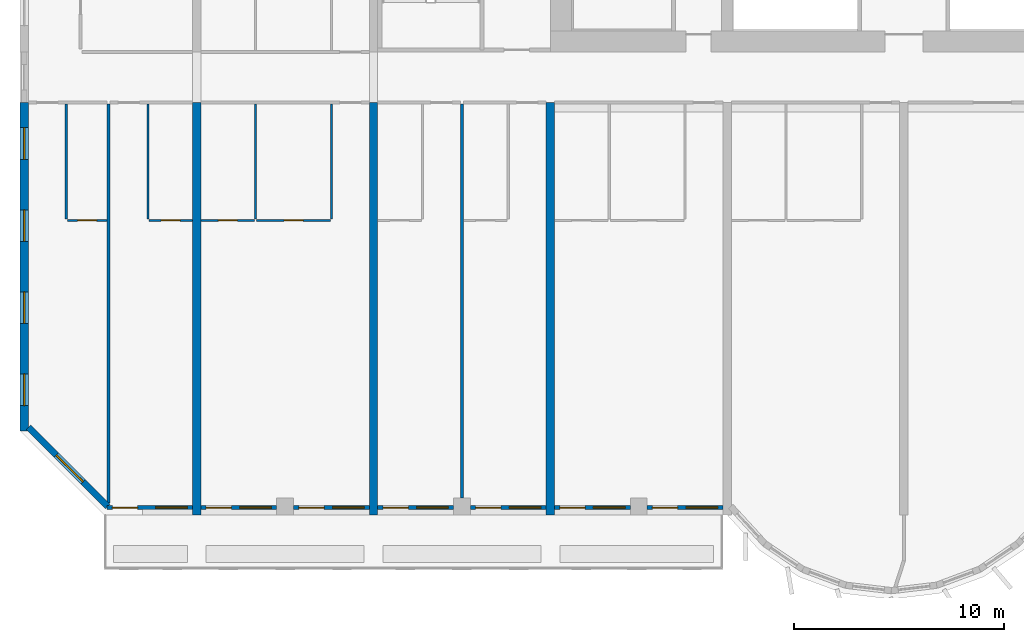
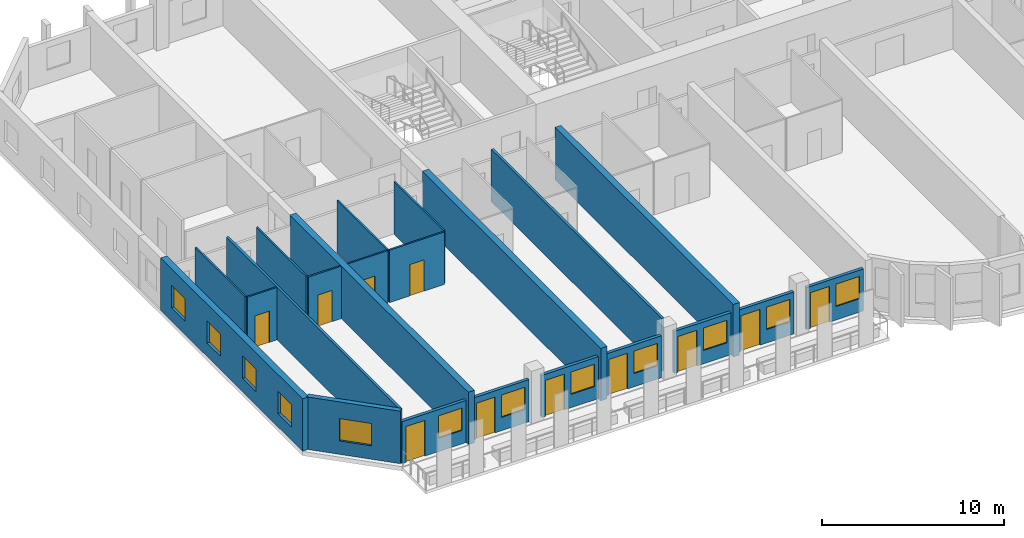
# One storey, part 2 of 14: 22 walls, 12 windows, 11 doors, 23 openings.
"""IFC4 building model written with IfcOpenShell, lengths in metres."""

import ifcopenshell
import ifcopenshell.guid

model = None  # the IFC model being written
_history = None  # IfcOwnerHistory: only IFC2X3 demands one
_inside = {}  # id of a spatial element -> (the spatial element, [elements in it])
_under = {}  # id of a project, library or spatial element -> (it, [spatial elements below it])
_declared = {}  # id of a project -> (the project, [libraries it declares])
_typed = {}  # id of a type object -> (the type object, [elements of that type])
_made_of = {}  # id of a material, layer set ... -> (it, [elements and type objects made of it])


def new_model(schema):
    """Start an empty IFC model of exactly this schema.

    Asked for "IFC4X3", IfcOpenShell would pick the latest addendum, in which some entities
    have other attributes; the version numbers below select the first issue.
    IFC2X3 requires an IfcOwnerHistory on every rooted entity: one is made here for all.
    """
    global model, _history
    if schema == "IFC4X3":
        model = ifcopenshell.file(schema_version=(4, 3, 0, 0))
    else:
        model = ifcopenshell.file(schema=schema)
    _inside.clear()
    _under.clear()
    _declared.clear()
    _typed.clear()
    _made_of.clear()
    _history = None
    if model.schema == "IFC2X3":
        org = make("IfcOrganization", Name="unknown")
        user = make(
            "IfcPersonAndOrganization",
            ThePerson=make("IfcPerson", FamilyName="unknown"),
            TheOrganization=org,
        )
        app = make(
            "IfcApplication",
            ApplicationDeveloper=org,
            Version="unknown",
            ApplicationFullName="unknown",
            ApplicationIdentifier="unknown",
        )
        _history = make(
            "IfcOwnerHistory",
            OwningUser=user,
            OwningApplication=app,
            ChangeAction="ADDED",
            CreationDate=0,
        )
    return model


def make(cls, **values):
    """One entity of the class cls with the attributes given. An attribute that is None is left unset."""
    return model.create_entity(
        cls, **{name: value for name, value in values.items() if value is not None}
    )


def rooted(cls, **values):
    """An entity with a GlobalId (a new one), such as an element, a storey or a relation."""
    return make(cls, GlobalId=ifcopenshell.guid.new(), OwnerHistory=_history, **values)


def si_unit(unit_type, name, prefix=None):
    """IfcSIUnit, for example si_unit("LENGTHUNIT", "METRE", prefix="MILLI")."""
    return make("IfcSIUnit", UnitType=unit_type, Prefix=prefix, Name=name)


def assignment(units):
    """IfcUnitAssignment: the units of a project."""
    return None if units is None else make("IfcUnitAssignment", Units=units)


def point(xyz):
    """IfcCartesianPoint."""
    return None if xyz is None else make("IfcCartesianPoint", Coordinates=xyz)


def direction(xyz):
    """IfcDirection."""
    return None if xyz is None else make("IfcDirection", DirectionRatios=xyz)


def frame(location, z_axis=None, x_axis=None):
    """IfcAxis2Placement3D, a coordinate frame: its origin and axes. An axis left out is left unset."""
    return make(
        "IfcAxis2Placement3D",
        Location=point(location),
        Axis=direction(z_axis),
        RefDirection=direction(x_axis),
    )


def frame_2d(location, x_axis=None):
    """IfcAxis2Placement2D, a coordinate frame in the plane: its origin and x axis."""
    return make(
        "IfcAxis2Placement2D", Location=point(location), RefDirection=direction(x_axis)
    )


def origin():
    """The frame at (0, 0, 0) with its axes left unset."""
    return frame((0.0, 0.0, 0.0))


def place(relative_to, where):
    """IfcLocalPlacement: puts the frame where relative to a parent placement (None: the world)."""
    return make(
        "IfcLocalPlacement", PlacementRelTo=relative_to, RelativePlacement=where
    )


def context(
    kind, dimensions, precision=None, world=None, true_north=None, identifier=None
):
    """IfcGeometricRepresentationContext, for example the 3D "Model" context."""
    return make(
        "IfcGeometricRepresentationContext",
        ContextIdentifier=identifier,
        ContextType=kind,
        CoordinateSpaceDimension=dimensions,
        Precision=precision,
        WorldCoordinateSystem=world,
        TrueNorth=true_north,
    )


def subcontext(parent, identifier, kind, view, scale=None):
    """IfcGeometricRepresentationSubContext, for example "Body" below "Model"."""
    return make(
        "IfcGeometricRepresentationSubContext",
        ContextIdentifier=identifier,
        ContextType=kind,
        ParentContext=parent,
        TargetScale=scale,
        TargetView=view,
    )


def project(units=None, contexts=None):
    """IfcProject with its units and contexts."""
    return rooted(
        "IfcProject",
        Name="project",
        RepresentationContexts=contexts,
        UnitsInContext=assignment(units),
    )


def spatial(cls, under=None, at=None, **own):
    """A site, building, storey or space (cls), placed at a placement, below another one or the project."""
    s = rooted(cls, ObjectPlacement=at, **own)
    if under is not None:
        _under.setdefault(under.id(), (under, []))[1].append(s)
    return s


def profile(cls, at=None, kind="AREA", **sizes):
    """A parametric profile (cls). Its sizes go by their IFC names, for example OverallWidth=200.0."""
    return make(cls, ProfileType=kind, Position=at, **sizes)


def rectangle(**sizes):
    """IfcRectangleProfileDef."""
    return profile("IfcRectangleProfileDef", **sizes)


def extrude(swept, where, along, depth):
    """IfcExtrudedAreaSolid: the profile swept, set in the frame where, extruded along a direction by depth."""
    return make(
        "IfcExtrudedAreaSolid",
        SweptArea=swept,
        Position=where,
        ExtrudedDirection=direction(along),
        Depth=depth,
    )


def shape(context_of_items, identifier, shape_type, items):
    """IfcShapeRepresentation: the items that make up one representation, for example the "Body"."""
    return make(
        "IfcShapeRepresentation",
        ContextOfItems=context_of_items,
        RepresentationIdentifier=identifier,
        RepresentationType=shape_type,
        Items=items,
    )


def source(mapping_origin, context_of_items, identifier, shape_type, items):
    """IfcRepresentationMap: a shape defined once, which mapped items show again and again."""
    return make(
        "IfcRepresentationMap",
        MappingOrigin=mapping_origin,
        MappedRepresentation=shape(context_of_items, identifier, shape_type, items),
    )


def transform(
    local_origin,
    x_axis=None,
    y_axis=None,
    z_axis=None,
    scale=None,
    scale2=None,
    scale3=None,
    uniform=True,
):
    """IfcCartesianTransformationOperator3D, or its non-uniform kind. x_axis, y_axis, z_axis: its Axis1, 2, 3."""
    if uniform:
        return make(
            "IfcCartesianTransformationOperator3D",
            Axis1=direction(x_axis),
            Axis2=direction(y_axis),
            LocalOrigin=point(local_origin),
            Scale=scale,
            Axis3=direction(z_axis),
        )
    return make(
        "IfcCartesianTransformationOperator3DnonUniform",
        Axis1=direction(x_axis),
        Axis2=direction(y_axis),
        LocalOrigin=point(local_origin),
        Scale=scale,
        Axis3=direction(z_axis),
        Scale2=scale2,
        Scale3=scale3,
    )


def mapped(mapping_source, mapping_target):
    """IfcMappedItem: shows the shape of a source again, moved by a transform."""
    return make(
        "IfcMappedItem", MappingSource=mapping_source, MappingTarget=mapping_target
    )


def material(Name=None, Category=None):
    """IfcMaterial."""
    return make("IfcMaterial", Name=Name, Category=Category)


def layer(
    of_material, thickness, ventilated=None, Name=None, Category=None, Priority=None
):
    """IfcMaterialLayer: one layer of a wall or slab, of a material (None: an air gap)."""
    return make(
        "IfcMaterialLayer",
        Material=of_material,
        LayerThickness=thickness,
        IsVentilated=ventilated,
        Name=Name,
        Category=Category,
        Priority=Priority,
    )


def layer_set(layers, Name=None):
    """IfcMaterialLayerSet."""
    return make("IfcMaterialLayerSet", MaterialLayers=layers, LayerSetName=Name)


def made_of(thing, what):
    """Note that an element or type object is made of a material, layer set ...; save() writes the relation."""
    if what is not None:
        _made_of.setdefault(what.id(), (what, []))[1].append(thing)
    return thing


def type_object(cls, material=None, **own):
    """A type object (cls), such as IfcWallType, which elements share."""
    return made_of(rooted(cls, **own), material)


def element(
    cls,
    number,
    at=None,
    inside=None,
    cuts=None,
    type_object=None,
    material=None,
    context=None,
    identifier="Body",
    shape_type=None,
    held_by="IfcProductDefinitionShape",
    body=None,
    shapes=None,
    **own,
):
    """One element of the class cls, such as IfcWall. Its Tag is "e" and its number.

    at: its placement. inside: the storey or other place that contains it. cuts: it is an
    opening in that element (IfcRelVoidsElement). A single representation is given by context,
    identifier, shape_type and body (its items); several are given by shapes. held_by: the class
    of the entity that holds the representations. save() writes the other relations.
    """
    e = rooted(cls, Tag="e%d" % number, ObjectPlacement=at, **own)
    if body is not None:
        shapes = [shape(context, identifier, shape_type, body)]
    if shapes is not None:
        e.Representation = make(held_by, Representations=shapes)
    if inside is not None:
        _inside.setdefault(inside.id(), (inside, []))[1].append(e)
    if cuts is not None:
        rooted(
            "IfcRelVoidsElement", RelatingBuildingElement=cuts, RelatedOpeningElement=e
        )
    if type_object is not None:
        _typed.setdefault(type_object.id(), (type_object, []))[1].append(e)
    return made_of(e, material)


def fill(opening, filler):
    """IfcRelFillsElement: the door or window that sits in an opening."""
    return rooted(
        "IfcRelFillsElement",
        RelatingOpeningElement=opening,
        RelatedBuildingElement=filler,
    )


def aggregate(whole, parts):
    """IfcRelAggregates: a whole, such as a stair, and the parts it consists of."""
    return rooted("IfcRelAggregates", RelatingObject=whole, RelatedObjects=parts)


def save(model, path):
    """Write the relations noted so far, then the file.

    IfcRelAggregates (storeys below a building ...), IfcRelContainedInSpatialStructure (elements
    in a storey), IfcRelDefinesByType, IfcRelAssociatesMaterial and IfcRelDeclares: one each for
    every whole, place, type object, material and project.
    """
    for whole, parts in _under.values():
        aggregate(whole, parts)
    for where, things in _inside.values():
        rooted(
            "IfcRelContainedInSpatialStructure",
            RelatedElements=things,
            RelatingStructure=where,
        )
    for kind, things in _typed.values():
        rooted("IfcRelDefinesByType", RelatedObjects=things, RelatingType=kind)
    for what, things in _made_of.values():
        rooted("IfcRelAssociatesMaterial", RelatedObjects=things, RelatingMaterial=what)
    for by, libraries in _declared.values():
        rooted("IfcRelDeclares", RelatingContext=by, RelatedDefinitions=libraries)
    model.write(path)


model = new_model("IFC4")

# Units and contexts
model_context = context("Model", 3, precision=1e-05, world=origin(), true_north=direction((0.0, 1.0)))
body_context = subcontext(model_context, "Body", "Model", "MODEL_VIEW")
ifc_project = project(units=[si_unit("LENGTHUNIT", "METRE"), si_unit("AREAUNIT", "SQUARE_METRE"), si_unit("VOLUMEUNIT", "CUBIC_METRE"), si_unit("PLANEANGLEUNIT", "RADIAN"), si_unit("MASSUNIT", "GRAM", prefix="KILO")], contexts=[model_context])

# Site, building, storey
site_placement = place(None, origin())
site = spatial("IfcSite", under=ifc_project, at=site_placement, CompositionType="ELEMENT")
building_placement = place(site_placement, origin())
building = spatial("IfcBuilding", under=site, at=building_placement, Name="Vanashikhar Sky Hotel", CompositionType="ELEMENT")
storey_placement = place(building_placement, frame((0.0, 0.0, 54.39990234375)))
storey = spatial("IfcBuildingStorey", under=building, at=storey_placement, Name="L12", CompositionType="ELEMENT", Elevation=54.39990234375)

# Wall, openings, windows
ifc_material_1 = material(Name="Concrete M80", Category="concrete")
ifc_layer_1 = layer(ifc_material_1, 0.39990234375)
ifc_layer_set_1 = layer_set([ifc_layer_1], Name="RC shear wall 400 Concrete M80")
wall_type_1 = type_object("IfcWallType", Name="RC shear wall 400 Concrete M80", PredefinedType="SHEAR", material=ifc_layer_set_1)
shared_shape_1 = source(origin(), body_context, "Body", "SweptSolid", [
    extrude(rectangle(XDim=15.60009765625, YDim=0.39990234375, at=frame_2d((7.800048828125, 0.0))), origin(), (0.0, 0.0, 1.0), 3.52001953125),
])
wall_1_placement = place(storey_placement, frame((0.199951171875, 4.0, 0.0), z_axis=(0.0, 0.0, 1.0), x_axis=(0.0, 1.0, 0.0)))
wall_1 = element("IfcWall", 1, at=wall_1_placement, inside=storey, type_object=wall_type_1, Name="CW-L12-XW01-1", PredefinedType="SHEAR", context=body_context, shape_type="MappedRepresentation", body=[
    mapped(shared_shape_1, transform((0.0, 0.0, 0.0), scale=1.0)),
])
shared_shape_2 = source(origin(), body_context, "Body", "SweptSolid", [
    extrude(rectangle(XDim=1.5, YDim=1.5, at=frame_2d((0.75, 0.75))), frame((0.0, 0.2099609375, 0.0), z_axis=(0.0, -1.0, 0.0), x_axis=(1.0, 0.0, 0.0)), (0.0, 0.0, 1.0), 0.419921875),
])
opening_1_placement = place(wall_1_placement, frame((1.199951171875, 0.0, 0.89990234375)))
opening_1 = element("IfcOpeningElement", 2, at=opening_1_placement, cuts=wall_1, Name="Opening WN-1", PredefinedType="OPENING", context=body_context, shape_type="MappedRepresentation", body=[
    mapped(shared_shape_2, transform((0.0, 0.0, 0.0), scale=1.0)),
])
opening_2_placement = place(wall_1_placement, frame((5.10009765625, 0.0, 0.89990234375)))
opening_2 = element("IfcOpeningElement", 3, at=opening_2_placement, cuts=wall_1, Name="Opening WN-1", PredefinedType="OPENING", context=body_context, shape_type="MappedRepresentation", body=[
    mapped(shared_shape_2, transform((0.0, 0.0, 0.0), scale=1.0)),
])
opening_3_placement = place(wall_1_placement, frame((9.0, 0.0, 0.89990234375)))
opening_3 = element("IfcOpeningElement", 4, at=opening_3_placement, cuts=wall_1, Name="Opening WN-1", PredefinedType="OPENING", context=body_context, shape_type="MappedRepresentation", body=[
    mapped(shared_shape_2, transform((0.0, 0.0, 0.0), scale=1.0)),
])
opening_4_placement = place(wall_1_placement, frame((12.89990234375, 0.0, 0.89990234375)))
opening_4 = element("IfcOpeningElement", 5, at=opening_4_placement, cuts=wall_1, Name="Opening WN-1", PredefinedType="OPENING", context=body_context, shape_type="MappedRepresentation", body=[
    mapped(shared_shape_2, transform((0.0, 0.0, 0.0), scale=1.0)),
])
ifc_material_2 = material(Name="Glass", Category="glass")
window_type_1 = type_object("IfcWindowType", Name="Window 1500 x 1500", PartitioningType="SINGLE_PANEL", PredefinedType="WINDOW", material=ifc_material_2)
shared_shape_3 = source(origin(), body_context, "Body", "SweptSolid", [
    extrude(rectangle(XDim=1.5, YDim=1.5, at=frame_2d((0.75, 0.75))), frame((0.0, 0.030029296875, 0.0), z_axis=(0.0, -1.0, 0.0), x_axis=(1.0, 0.0, 0.0)), (0.0, 0.0, 1.0), 0.06005859375),
])
window_1_placement = place(opening_1_placement, origin())
window_1 = element("IfcWindow", 6, at=window_1_placement, inside=storey, type_object=window_type_1, Name="Window WN-1", OverallHeight=1.5, OverallWidth=1.5, PartitioningType="SINGLE_PANEL", PredefinedType="WINDOW", context=body_context, shape_type="MappedRepresentation", body=[
    mapped(shared_shape_3, transform((0.0, 0.0, 0.0), scale=1.0)),
])
fill(opening_1, window_1)
window_2_placement = place(opening_2_placement, origin())
window_2 = element("IfcWindow", 7, at=window_2_placement, inside=storey, type_object=window_type_1, Name="Window WN-1", OverallHeight=1.5, OverallWidth=1.5, PartitioningType="SINGLE_PANEL", PredefinedType="WINDOW", context=body_context, shape_type="MappedRepresentation", body=[
    mapped(shared_shape_3, transform((0.0, 0.0, 0.0), scale=1.0)),
])
fill(opening_2, window_2)
window_3_placement = place(opening_3_placement, origin())
window_3 = element("IfcWindow", 8, at=window_3_placement, inside=storey, type_object=window_type_1, Name="Window WN-1", OverallHeight=1.5, OverallWidth=1.5, PartitioningType="SINGLE_PANEL", PredefinedType="WINDOW", context=body_context, shape_type="MappedRepresentation", body=[
    mapped(shared_shape_3, transform((0.0, 0.0, 0.0), scale=1.0)),
])
fill(opening_3, window_3)
window_4_placement = place(opening_4_placement, origin())
window_4 = element("IfcWindow", 9, at=window_4_placement, inside=storey, type_object=window_type_1, Name="Window WN-1", OverallHeight=1.5, OverallWidth=1.5, PartitioningType="SINGLE_PANEL", PredefinedType="WINDOW", context=body_context, shape_type="MappedRepresentation", body=[
    mapped(shared_shape_3, transform((0.0, 0.0, 0.0), scale=1.0)),
])
fill(opening_4, window_4)

# Walls
shared_shape_4 = source(origin(), body_context, "Body", "SweptSolid", [
    extrude(rectangle(XDim=19.60009765625, YDim=0.39990234375, at=frame_2d((9.800048828125, 0.0))), origin(), (0.0, 0.0, 1.0), 3.52001953125),
])
for number, where, z_axis, x_axis, name in (
    (10, (8.39990234375, 0.0, 0.0), (0.0, 0.0, 1.0), (0.0, 1.0, 0.0), "CW-L12-XW02-1"),
    (11, (16.800048828125, 0.0, 0.0), (0.0, 0.0, 1.0), (0.0, 1.0, 0.0), "CW-L12-XW03-1"),
    (12, (25.199951171875, 0.0, 0.0), (0.0, 0.0, 1.0), (0.0, 1.0, 0.0), "CW-L12-XW04-1"),
):
    element("IfcWall", number, at=place(storey_placement, frame(where, z_axis=z_axis, x_axis=x_axis)), inside=storey, type_object=wall_type_1, Name=name, PredefinedType="SHEAR", context=body_context, shape_type="MappedRepresentation", body=[
        mapped(shared_shape_4, transform((0.0, 0.0, 0.0), scale=1.0)),
    ])

# Wall, opening, window
ifc_material_3 = material(Name="Concrete M50", Category="concrete")
ifc_layer_2 = layer(ifc_material_3, 0.300048828125)
ifc_layer_set_2 = layer_set([ifc_layer_2], Name="Lobe wall 300")
wall_type_2 = type_object("IfcWallType", Name="Lobe wall 300", PredefinedType="SOLIDWALL", material=ifc_layer_set_2)
shared_shape_5 = source(origin(), body_context, "Body", "SweptSolid", [
    extrude(rectangle(XDim=5.32568359375, YDim=0.300048828125, at=frame_2d((2.662841796875, 0.0))), origin(), (0.0, 0.0, 1.0), 3.52001953125),
])
wall_2_placement = place(storey_placement, frame((0.39990234375, 4.165771484375, 0.0), z_axis=(0.0, 0.0, 1.0), x_axis=(0.707106781187, -0.707106781187, 0.0)))
wall_2 = element("IfcWall", 13, at=wall_2_placement, inside=storey, type_object=wall_type_2, Name="Corner wall", PredefinedType="SOLIDWALL", context=body_context, shape_type="MappedRepresentation", body=[
    mapped(shared_shape_5, transform((0.0, 0.0, 0.0), scale=1.0)),
])
shared_shape_6 = source(origin(), body_context, "Body", "SweptSolid", [
    extrude(rectangle(XDim=1.800048828125, YDim=1.5, at=frame_2d((0.89990234375, 0.75))), frame((0.0, 0.16015625, 0.0), z_axis=(0.0, -1.0, 0.0), x_axis=(1.0, 0.0, 0.0)), (0.0, 0.0, 1.0), 0.320068359375),
])
opening_5_placement = place(wall_2_placement, frame((1.871337890625, 0.0, 0.89990234375)))
opening_5 = element("IfcOpeningElement", 14, at=opening_5_placement, cuts=wall_2, Name="Opening WN-4", PredefinedType="OPENING", context=body_context, shape_type="MappedRepresentation", body=[
    mapped(shared_shape_6, transform((0.0, 0.0, 0.0), scale=1.0)),
])
window_type_2 = type_object("IfcWindowType", Name="Corner window 1800 x 1500", PartitioningType="SINGLE_PANEL", PredefinedType="WINDOW", material=ifc_material_2)
shared_shape_7 = source(origin(), body_context, "Body", "SweptSolid", [
    extrude(rectangle(XDim=1.800048828125, YDim=1.5, at=frame_2d((0.89990234375, 0.75))), frame((0.0, 0.030029296875, 0.0), z_axis=(0.0, -1.0, 0.0), x_axis=(1.0, 0.0, 0.0)), (0.0, 0.0, 1.0), 0.06005859375),
])
window_5_placement = place(opening_5_placement, origin())
window_5 = element("IfcWindow", 15, at=window_5_placement, inside=storey, type_object=window_type_2, Name="Window WN-4", OverallHeight=1.5, OverallWidth=1.800048828125, PartitioningType="SINGLE_PANEL", PredefinedType="WINDOW", context=body_context, shape_type="MappedRepresentation", body=[
    mapped(shared_shape_7, transform((0.0, 0.0, 0.0), scale=1.0)),
])
fill(opening_5, window_5)

# Wall, openings, window, door
ifc_layer_3 = layer(ifc_material_3, 0.199951171875)
ifc_layer_set_3 = layer_set([ifc_layer_3], Name="Front window wall 200")
wall_type_3 = type_object("IfcWallType", Name="Front window wall 200", PredefinedType="SOLIDWALL", material=ifc_layer_set_3)
shared_shape_8 = source(origin(), body_context, "Body", "SweptSolid", [
    extrude(rectangle(XDim=4.054931640625, YDim=0.199951171875, at=frame_2d((2.02734375, 0.0))), origin(), (0.0, 0.0, 1.0), 2.820068359375),
])
wall_3_placement = place(storey_placement, frame((4.14501953125, 0.35009765625, 0.0), z_axis=(0.0, 0.0, 1.0), x_axis=(1.0, 0.0, 0.0)))
wall_3 = element("IfcWall", 16, at=wall_3_placement, inside=storey, type_object=wall_type_3, Name="Front window wall", PredefinedType="SOLIDWALL", context=body_context, shape_type="MappedRepresentation", body=[
    mapped(shared_shape_8, transform((0.0, 0.0, 0.0), scale=1.0)),
])
shared_shape_9 = source(origin(), body_context, "Body", "SweptSolid", [
    extrude(rectangle(XDim=1.199951171875, YDim=2.39990234375, at=frame_2d((0.60009765625, 1.199951171875))), frame((0.0, 0.10986328125, 0.0), z_axis=(0.0, -1.0, 0.0), x_axis=(1.0, 0.0, 0.0)), (0.0, 0.0, 1.0), 0.219970703125),
])
opening_6_placement = place(wall_3_placement, frame((0.25, 0.0, 0.0)))
opening_6 = element("IfcOpeningElement", 17, at=opening_6_placement, cuts=wall_3, Name="Opening BD-01", PredefinedType="OPENING", context=body_context, shape_type="MappedRepresentation", body=[
    mapped(shared_shape_9, transform((0.0, 0.0, 0.0), scale=1.0)),
])
shared_shape_10 = source(origin(), body_context, "Body", "SweptSolid", [
    extrude(rectangle(XDim=1.5, YDim=1.5, at=frame_2d((0.75, 0.75))), frame((0.0, 0.10986328125, 0.0), z_axis=(0.0, -1.0, 0.0), x_axis=(1.0, 0.0, 0.0)), (0.0, 0.0, 1.0), 0.219970703125),
])
opening_7_placement = place(wall_3_placement, frame((2.304931640625, 0.0, 0.89990234375)))
opening_7 = element("IfcOpeningElement", 18, at=opening_7_placement, cuts=wall_3, Name="Opening WN-1", PredefinedType="OPENING", context=body_context, shape_type="MappedRepresentation", body=[
    mapped(shared_shape_10, transform((0.0, 0.0, 0.0), scale=1.0)),
])
window_6_placement = place(opening_7_placement, origin())
window_6 = element("IfcWindow", 19, at=window_6_placement, inside=storey, type_object=window_type_1, Name="Window WN-1", OverallHeight=1.5, OverallWidth=1.5, PartitioningType="SINGLE_PANEL", PredefinedType="WINDOW", context=body_context, shape_type="MappedRepresentation", body=[
    mapped(shared_shape_3, transform((0.0, 0.0, 0.0), scale=1.0)),
])
fill(opening_7, window_6)
ifc_material_4 = material(Name="Aluminium", Category="aluminium")
door_type_1 = type_object("IfcDoorType", Name="Balcony sliding door 1200 x 2400", OperationType="NOTDEFINED", PredefinedType="DOOR", material=ifc_material_4)
shared_shape_11 = source(origin(), body_context, "Body", "SweptSolid", [
    extrude(rectangle(XDim=1.199951171875, YDim=2.39990234375, at=frame_2d((0.60009765625, 1.199951171875))), frame((0.0, 0.02490234375, 0.0), z_axis=(0.0, -1.0, 0.0), x_axis=(1.0, 0.0, 0.0)), (0.0, 0.0, 1.0), 0.050048828125),
])
door_1_placement = place(opening_6_placement, origin())
door_1 = element("IfcDoor", 20, at=door_1_placement, inside=storey, type_object=door_type_1, Name="Balcony sliding door", OperationType="SLIDING_TO_LEFT", OverallHeight=2.39990234375, OverallWidth=1.199951171875, PredefinedType="DOOR", context=body_context, shape_type="MappedRepresentation", body=[
    mapped(shared_shape_11, transform((0.0, 0.0, 0.0), scale=1.0)),
])
fill(opening_6, door_1)

shared_shape_12 = source(origin(), body_context, "Body", "SweptSolid", [
    extrude(rectangle(XDim=3.599853515625, YDim=0.199951171875, at=frame_2d((1.7998046875, 0.0))), origin(), (0.0, 0.0, 1.0), 2.820068359375),
])
wall_4_placement = place(storey_placement, frame((8.60009765625, 0.35009765625, 0.0), z_axis=(0.0, 0.0, 1.0), x_axis=(1.0, 0.0, 0.0)))
wall_4 = element("IfcWall", 21, at=wall_4_placement, inside=storey, type_object=wall_type_3, Name="Front window wall", PredefinedType="SOLIDWALL", context=body_context, shape_type="MappedRepresentation", body=[
    mapped(shared_shape_12, transform((0.0, 0.0, 0.0), scale=1.0)),
])
opening_8_placement = place(wall_4_placement, frame((0.25, 0.0, 0.0)))
opening_8 = element("IfcOpeningElement", 22, at=opening_8_placement, cuts=wall_4, Name="Opening BD-02", PredefinedType="OPENING", context=body_context, shape_type="MappedRepresentation", body=[
    mapped(shared_shape_9, transform((0.0, 0.0, 0.0), scale=1.0)),
])
opening_9_placement = place(wall_4_placement, frame((1.85009765625, 0.0, 0.89990234375)))
opening_9 = element("IfcOpeningElement", 23, at=opening_9_placement, cuts=wall_4, Name="Opening WN-1", PredefinedType="OPENING", context=body_context, shape_type="MappedRepresentation", body=[
    mapped(shared_shape_10, transform((0.0, 0.0, 0.0), scale=1.0)),
])
window_7_placement = place(opening_9_placement, origin())
window_7 = element("IfcWindow", 24, at=window_7_placement, inside=storey, type_object=window_type_1, Name="Window WN-1", OverallHeight=1.5, OverallWidth=1.5, PartitioningType="SINGLE_PANEL", PredefinedType="WINDOW", context=body_context, shape_type="MappedRepresentation", body=[
    mapped(shared_shape_3, transform((0.0, 0.0, 0.0), scale=1.0)),
])
fill(opening_9, window_7)
door_2_placement = place(opening_8_placement, origin())
door_2 = element("IfcDoor", 25, at=door_2_placement, inside=storey, type_object=door_type_1, Name="Balcony sliding door", OperationType="SLIDING_TO_RIGHT", OverallHeight=2.39990234375, OverallWidth=1.199951171875, PredefinedType="DOOR", context=body_context, shape_type="MappedRepresentation", body=[
    mapped(shared_shape_11, transform((0.0, 0.0, 0.0), scale=1.0)),
])
fill(opening_8, door_2)

wall_5_placement = place(storey_placement, frame((29.800048828125, 0.35009765625, 0.0), z_axis=(0.0, 0.0, 1.0), x_axis=(1.0, 0.0, 0.0)))
wall_5 = element("IfcWall", 26, at=wall_5_placement, inside=storey, type_object=wall_type_3, Name="Front window wall", PredefinedType="SOLIDWALL", context=body_context, shape_type="MappedRepresentation", body=[
    mapped(shared_shape_12, transform((0.0, 0.0, 0.0), scale=1.0)),
])
opening_10_placement = place(wall_5_placement, frame((0.25, 0.0, 0.0)))
opening_10 = element("IfcOpeningElement", 27, at=opening_10_placement, cuts=wall_5, Name="Opening BD-07", PredefinedType="OPENING", context=body_context, shape_type="MappedRepresentation", body=[
    mapped(shared_shape_9, transform((0.0, 0.0, 0.0), scale=1.0)),
])
opening_11_placement = place(wall_5_placement, frame((1.85009765625, 0.0, 0.89990234375)))
opening_11 = element("IfcOpeningElement", 28, at=opening_11_placement, cuts=wall_5, Name="Opening WN-1", PredefinedType="OPENING", context=body_context, shape_type="MappedRepresentation", body=[
    mapped(shared_shape_10, transform((0.0, 0.0, 0.0), scale=1.0)),
])
window_8_placement = place(opening_11_placement, origin())
window_8 = element("IfcWindow", 29, at=window_8_placement, inside=storey, type_object=window_type_1, Name="Window WN-1", OverallHeight=1.5, OverallWidth=1.5, PartitioningType="SINGLE_PANEL", PredefinedType="WINDOW", context=body_context, shape_type="MappedRepresentation", body=[
    mapped(shared_shape_3, transform((0.0, 0.0, 0.0), scale=1.0)),
])
fill(opening_11, window_8)
door_3_placement = place(opening_10_placement, origin())
door_3 = element("IfcDoor", 30, at=door_3_placement, inside=storey, type_object=door_type_1, Name="Balcony sliding door", OperationType="SLIDING_TO_LEFT", OverallHeight=2.39990234375, OverallWidth=1.199951171875, PredefinedType="DOOR", context=body_context, shape_type="MappedRepresentation", body=[
    mapped(shared_shape_11, transform((0.0, 0.0, 0.0), scale=1.0)),
])
fill(opening_10, door_3)

shared_shape_13 = source(origin(), body_context, "Body", "SweptSolid", [
    extrude(rectangle(XDim=3.60009765625, YDim=0.199951171875, at=frame_2d((1.800048828125, 0.0))), origin(), (0.0, 0.0, 1.0), 2.820068359375),
])
wall_6_placement = place(storey_placement, frame((13.0, 0.35009765625, 0.0), z_axis=(0.0, 0.0, 1.0), x_axis=(1.0, 0.0, 0.0)))
wall_6 = element("IfcWall", 31, at=wall_6_placement, inside=storey, type_object=wall_type_3, Name="Front window wall", PredefinedType="SOLIDWALL", context=body_context, shape_type="MappedRepresentation", body=[
    mapped(shared_shape_13, transform((0.0, 0.0, 0.0), scale=1.0)),
])
opening_12_placement = place(wall_6_placement, frame((0.25, 0.0, 0.0)))
opening_12 = element("IfcOpeningElement", 32, at=opening_12_placement, cuts=wall_6, Name="Opening BD-03", PredefinedType="OPENING", context=body_context, shape_type="MappedRepresentation", body=[
    mapped(shared_shape_9, transform((0.0, 0.0, 0.0), scale=1.0)),
])
opening_13_placement = place(wall_6_placement, frame((1.85009765625, 0.0, 0.89990234375)))
opening_13 = element("IfcOpeningElement", 33, at=opening_13_placement, cuts=wall_6, Name="Opening WN-1", PredefinedType="OPENING", context=body_context, shape_type="MappedRepresentation", body=[
    mapped(shared_shape_10, transform((0.0, 0.0, 0.0), scale=1.0)),
])
window_9_placement = place(opening_13_placement, origin())
window_9 = element("IfcWindow", 34, at=window_9_placement, inside=storey, type_object=window_type_1, Name="Window WN-1", OverallHeight=1.5, OverallWidth=1.5, PartitioningType="SINGLE_PANEL", PredefinedType="WINDOW", context=body_context, shape_type="MappedRepresentation", body=[
    mapped(shared_shape_3, transform((0.0, 0.0, 0.0), scale=1.0)),
])
fill(opening_13, window_9)
door_4_placement = place(opening_12_placement, origin())
door_4 = element("IfcDoor", 35, at=door_4_placement, inside=storey, type_object=door_type_1, Name="Balcony sliding door", OperationType="SLIDING_TO_LEFT", OverallHeight=2.39990234375, OverallWidth=1.199951171875, PredefinedType="DOOR", context=body_context, shape_type="MappedRepresentation", body=[
    mapped(shared_shape_11, transform((0.0, 0.0, 0.0), scale=1.0)),
])
fill(opening_12, door_4)

wall_7_placement = place(storey_placement, frame((17.0, 0.35009765625, 0.0), z_axis=(0.0, 0.0, 1.0), x_axis=(1.0, 0.0, 0.0)))
wall_7 = element("IfcWall", 36, at=wall_7_placement, inside=storey, type_object=wall_type_3, Name="Front window wall", PredefinedType="SOLIDWALL", context=body_context, shape_type="MappedRepresentation", body=[
    mapped(shared_shape_13, transform((0.0, 0.0, 0.0), scale=1.0)),
])
opening_14_placement = place(wall_7_placement, frame((0.25, 0.0, 0.0)))
opening_14 = element("IfcOpeningElement", 37, at=opening_14_placement, cuts=wall_7, Name="Opening BD-04", PredefinedType="OPENING", context=body_context, shape_type="MappedRepresentation", body=[
    mapped(shared_shape_9, transform((0.0, 0.0, 0.0), scale=1.0)),
])
opening_15_placement = place(wall_7_placement, frame((1.85009765625, 0.0, 0.89990234375)))
opening_15 = element("IfcOpeningElement", 38, at=opening_15_placement, cuts=wall_7, Name="Opening WN-1", PredefinedType="OPENING", context=body_context, shape_type="MappedRepresentation", body=[
    mapped(shared_shape_10, transform((0.0, 0.0, 0.0), scale=1.0)),
])
window_10_placement = place(opening_15_placement, origin())
window_10 = element("IfcWindow", 39, at=window_10_placement, inside=storey, type_object=window_type_1, Name="Window WN-1", OverallHeight=1.5, OverallWidth=1.5, PartitioningType="SINGLE_PANEL", PredefinedType="WINDOW", context=body_context, shape_type="MappedRepresentation", body=[
    mapped(shared_shape_3, transform((0.0, 0.0, 0.0), scale=1.0)),
])
fill(opening_15, window_10)
door_5_placement = place(opening_14_placement, origin())
door_5 = element("IfcDoor", 40, at=door_5_placement, inside=storey, type_object=door_type_1, Name="Balcony sliding door", OperationType="SLIDING_TO_RIGHT", OverallHeight=2.39990234375, OverallWidth=1.199951171875, PredefinedType="DOOR", context=body_context, shape_type="MappedRepresentation", body=[
    mapped(shared_shape_11, transform((0.0, 0.0, 0.0), scale=1.0)),
])
fill(opening_14, door_5)

wall_8_placement = place(storey_placement, frame((21.39990234375, 0.35009765625, 0.0), z_axis=(0.0, 0.0, 1.0), x_axis=(1.0, 0.0, 0.0)))
wall_8 = element("IfcWall", 41, at=wall_8_placement, inside=storey, type_object=wall_type_3, Name="Front window wall", PredefinedType="SOLIDWALL", context=body_context, shape_type="MappedRepresentation", body=[
    mapped(shared_shape_13, transform((0.0, 0.0, 0.0), scale=1.0)),
])
opening_16_placement = place(wall_8_placement, frame((0.25, 0.0, 0.0)))
opening_16 = element("IfcOpeningElement", 42, at=opening_16_placement, cuts=wall_8, Name="Opening BD-05", PredefinedType="OPENING", context=body_context, shape_type="MappedRepresentation", body=[
    mapped(shared_shape_9, transform((0.0, 0.0, 0.0), scale=1.0)),
])
opening_17_placement = place(wall_8_placement, frame((1.85009765625, 0.0, 0.89990234375)))
opening_17 = element("IfcOpeningElement", 43, at=opening_17_placement, cuts=wall_8, Name="Opening WN-1", PredefinedType="OPENING", context=body_context, shape_type="MappedRepresentation", body=[
    mapped(shared_shape_10, transform((0.0, 0.0, 0.0), scale=1.0)),
])
window_11_placement = place(opening_17_placement, origin())
window_11 = element("IfcWindow", 44, at=window_11_placement, inside=storey, type_object=window_type_1, Name="Window WN-1", OverallHeight=1.5, OverallWidth=1.5, PartitioningType="SINGLE_PANEL", PredefinedType="WINDOW", context=body_context, shape_type="MappedRepresentation", body=[
    mapped(shared_shape_3, transform((0.0, 0.0, 0.0), scale=1.0)),
])
fill(opening_17, window_11)
door_6_placement = place(opening_16_placement, origin())
door_6 = element("IfcDoor", 45, at=door_6_placement, inside=storey, type_object=door_type_1, Name="Balcony sliding door", OperationType="SLIDING_TO_LEFT", OverallHeight=2.39990234375, OverallWidth=1.199951171875, PredefinedType="DOOR", context=body_context, shape_type="MappedRepresentation", body=[
    mapped(shared_shape_11, transform((0.0, 0.0, 0.0), scale=1.0)),
])
fill(opening_16, door_6)

wall_9_placement = place(storey_placement, frame((25.39990234375, 0.35009765625, 0.0), z_axis=(0.0, 0.0, 1.0), x_axis=(1.0, 0.0, 0.0)))
wall_9 = element("IfcWall", 46, at=wall_9_placement, inside=storey, type_object=wall_type_3, Name="Front window wall", PredefinedType="SOLIDWALL", context=body_context, shape_type="MappedRepresentation", body=[
    mapped(shared_shape_13, transform((0.0, 0.0, 0.0), scale=1.0)),
])
opening_18_placement = place(wall_9_placement, frame((0.25, 0.0, 0.0)))
opening_18 = element("IfcOpeningElement", 47, at=opening_18_placement, cuts=wall_9, Name="Opening BD-06", PredefinedType="OPENING", context=body_context, shape_type="MappedRepresentation", body=[
    mapped(shared_shape_9, transform((0.0, 0.0, 0.0), scale=1.0)),
])
opening_19_placement = place(wall_9_placement, frame((1.85009765625, 0.0, 0.89990234375)))
opening_19 = element("IfcOpeningElement", 48, at=opening_19_placement, cuts=wall_9, Name="Opening WN-1", PredefinedType="OPENING", context=body_context, shape_type="MappedRepresentation", body=[
    mapped(shared_shape_10, transform((0.0, 0.0, 0.0), scale=1.0)),
])
window_12_placement = place(opening_19_placement, origin())
window_12 = element("IfcWindow", 49, at=window_12_placement, inside=storey, type_object=window_type_1, Name="Window WN-1", OverallHeight=1.5, OverallWidth=1.5, PartitioningType="SINGLE_PANEL", PredefinedType="WINDOW", context=body_context, shape_type="MappedRepresentation", body=[
    mapped(shared_shape_3, transform((0.0, 0.0, 0.0), scale=1.0)),
])
fill(opening_19, window_12)
door_7_placement = place(opening_18_placement, origin())
door_7 = element("IfcDoor", 50, at=door_7_placement, inside=storey, type_object=door_type_1, Name="Balcony sliding door", OperationType="SLIDING_TO_RIGHT", OverallHeight=2.39990234375, OverallWidth=1.199951171875, PredefinedType="DOOR", context=body_context, shape_type="MappedRepresentation", body=[
    mapped(shared_shape_11, transform((0.0, 0.0, 0.0), scale=1.0)),
])
fill(opening_18, door_7)

# Wall
ifc_material_5 = material(Name="Gypsum plasterboard partition")
ifc_layer_4 = layer(ifc_material_5, 0.14990234375)
ifc_layer_set_4 = layer_set([ifc_layer_4], Name="Corridor and demising partition 150")
wall_type_4 = type_object("IfcWallType", Name="Corridor and demising partition 150", PredefinedType="PARTITIONING", material=ifc_layer_set_4)
shared_shape_14 = source(origin(), body_context, "Body", "SweptSolid", [
    extrude(rectangle(XDim=18.947021484375, YDim=0.14990234375, at=frame_2d((9.4736328125, 0.0))), origin(), (0.0, 0.0, 1.0), 3.52001953125),
])
wall_10_placement = place(storey_placement, frame((4.199951171875, 0.577880859375, 0.0), z_axis=(0.0, 0.0, 1.0), x_axis=(0.0, 1.0, 0.0)))
element("IfcWall", 51, at=wall_10_placement, inside=storey, type_object=wall_type_4, Name="W-L12-PW007", PredefinedType="PARTITIONING", context=body_context, shape_type="MappedRepresentation", body=[
    mapped(shared_shape_14, transform((0.0, 0.0, 0.0), scale=1.0)),
])

# Wall, opening, door
ifc_layer_5 = layer(ifc_material_5, 0.10009765625)
ifc_layer_set_5 = layer_set([ifc_layer_5], Name="Wet room partition 100")
wall_type_5 = type_object("IfcWallType", Name="Wet room partition 100", PredefinedType="PARTITIONING", material=ifc_layer_set_5)
shared_shape_15 = source(origin(), body_context, "Body", "SweptSolid", [
    extrude(rectangle(XDim=3.5, YDim=0.10009765625, at=frame_2d((1.75, 0.0))), origin(), (0.0, 0.0, 1.0), 3.52001953125),
])
wall_11_placement = place(storey_placement, frame((11.25, 14.0, 0.0), z_axis=(0.0, 0.0, 1.0), x_axis=(1.0, 0.0, 0.0)))
wall_11 = element("IfcWall", 52, at=wall_11_placement, inside=storey, type_object=wall_type_5, Name="W-L12-PW010", PredefinedType="PARTITIONING", context=body_context, shape_type="MappedRepresentation", body=[
    mapped(shared_shape_15, transform((0.0, 0.0, 0.0), scale=1.0)),
])
shared_shape_16 = source(origin(), body_context, "Body", "SweptSolid", [
    extrude(rectangle(XDim=0.89990234375, YDim=2.10009765625, at=frame_2d((0.449951171875, 1.050048828125))), frame((0.0, 0.06005859375, 0.0), z_axis=(0.0, -1.0, 0.0), x_axis=(1.0, 0.0, 0.0)), (0.0, 0.0, 1.0), 0.1201171875),
])
opening_20_placement = place(wall_11_placement, frame((1.300048828125, 0.0, 0.0)))
opening_20 = element("IfcOpeningElement", 53, at=opening_20_placement, cuts=wall_11, Name="Opening D-02", PredefinedType="OPENING", context=body_context, shape_type="MappedRepresentation", body=[
    mapped(shared_shape_16, transform((0.0, 0.0, 0.0), scale=1.0)),
])
ifc_material_6 = material(Name="Timber door", Category="wood")
door_type_2 = type_object("IfcDoorType", Name="Internal door 900", OperationType="NOTDEFINED", PredefinedType="DOOR", material=ifc_material_6)
shared_shape_17 = source(origin(), body_context, "Body", "SweptSolid", [
    extrude(rectangle(XDim=0.89990234375, YDim=2.10009765625, at=frame_2d((0.449951171875, 1.050048828125))), frame((0.0, 0.02490234375, 0.0), z_axis=(0.0, -1.0, 0.0), x_axis=(1.0, 0.0, 0.0)), (0.0, 0.0, 1.0), 0.050048828125),
])
door_8_placement = place(opening_20_placement, origin())
door_8 = element("IfcDoor", 54, at=door_8_placement, inside=storey, type_object=door_type_2, Name="D-L12-005", OperationType="SINGLE_SWING_RIGHT", OverallHeight=2.10009765625, OverallWidth=0.89990234375, PredefinedType="DOOR", context=body_context, shape_type="MappedRepresentation", body=[
    mapped(shared_shape_17, transform((0.0, 0.0, 0.0), scale=1.0)),
])
fill(opening_20, door_8)

shared_shape_18 = source(origin(), body_context, "Body", "SweptSolid", [
    extrude(rectangle(XDim=2.074951171875, YDim=0.10009765625, at=frame_2d((1.03759765625, 0.0))), origin(), (0.0, 0.0, 1.0), 3.52001953125),
])
wall_12_placement = place(storey_placement, frame((6.125, 14.0, 0.0), z_axis=(0.0, 0.0, 1.0), x_axis=(1.0, 0.0, 0.0)))
wall_12 = element("IfcWall", 55, at=wall_12_placement, inside=storey, type_object=wall_type_5, Name="W-L12-PW005", PredefinedType="PARTITIONING", context=body_context, shape_type="MappedRepresentation", body=[
    mapped(shared_shape_18, transform((0.0, 0.0, 0.0), scale=1.0)),
])
opening_21_placement = place(wall_12_placement, frame((0.5869140625, 0.0, 0.0)))
opening_21 = element("IfcOpeningElement", 56, at=opening_21_placement, cuts=wall_12, Name="Opening D-02", PredefinedType="OPENING", context=body_context, shape_type="MappedRepresentation", body=[
    mapped(shared_shape_16, transform((0.0, 0.0, 0.0), scale=1.0)),
])
door_9_placement = place(opening_21_placement, origin())
door_9 = element("IfcDoor", 57, at=door_9_placement, inside=storey, type_object=door_type_2, Name="D-L12-003", OperationType="SINGLE_SWING_LEFT", OverallHeight=2.10009765625, OverallWidth=0.89990234375, PredefinedType="DOOR", context=body_context, shape_type="MappedRepresentation", body=[
    mapped(shared_shape_17, transform((0.0, 0.0, 0.0), scale=1.0)),
])
fill(opening_21, door_9)

# Wall
shared_shape_19 = source(origin(), body_context, "Body", "SweptSolid", [
    extrude(rectangle(XDim=18.724853515625, YDim=0.14990234375, at=frame_2d((9.3623046875, 0.0))), origin(), (0.0, 0.0, 1.0), 3.52001953125),
])
wall_13_placement = place(storey_placement, frame((21.0, 0.800048828125, 0.0), z_axis=(0.0, 0.0, 1.0), x_axis=(0.0, 1.0, 0.0)))
element("IfcWall", 58, at=wall_13_placement, inside=storey, type_object=wall_type_4, Name="W-L12-PW019", PredefinedType="PARTITIONING", context=body_context, shape_type="MappedRepresentation", body=[
    mapped(shared_shape_19, transform((0.0, 0.0, 0.0), scale=1.0)),
])

# Wall, opening, door
shared_shape_20 = source(origin(), body_context, "Body", "SweptSolid", [
    extrude(rectangle(XDim=2.5498046875, YDim=0.10009765625, at=frame_2d((1.27490234375, 0.0))), origin(), (0.0, 0.0, 1.0), 3.52001953125),
])
wall_14_placement = place(storey_placement, frame((8.60009765625, 14.0, 0.0), z_axis=(0.0, 0.0, 1.0), x_axis=(1.0, 0.0, 0.0)))
wall_14 = element("IfcWall", 59, at=wall_14_placement, inside=storey, type_object=wall_type_5, Name="W-L12-PW011", PredefinedType="PARTITIONING", context=body_context, shape_type="MappedRepresentation", body=[
    mapped(shared_shape_20, transform((0.0, 0.0, 0.0), scale=1.0)),
])
opening_22_placement = place(wall_14_placement, frame((0.824951171875, 0.0, 0.0)))
opening_22 = element("IfcOpeningElement", 60, at=opening_22_placement, cuts=wall_14, Name="Opening D-02", PredefinedType="OPENING", context=body_context, shape_type="MappedRepresentation", body=[
    mapped(shared_shape_16, transform((0.0, 0.0, 0.0), scale=1.0)),
])
door_10_placement = place(opening_22_placement, origin())
door_10 = element("IfcDoor", 61, at=door_10_placement, inside=storey, type_object=door_type_2, Name="D-L12-006", OperationType="SINGLE_SWING_RIGHT", OverallHeight=2.10009765625, OverallWidth=0.89990234375, PredefinedType="DOOR", context=body_context, shape_type="MappedRepresentation", body=[
    mapped(shared_shape_17, transform((0.0, 0.0, 0.0), scale=1.0)),
])
fill(opening_22, door_10)

shared_shape_21 = source(origin(), body_context, "Body", "SweptSolid", [
    extrude(rectangle(XDim=1.875, YDim=0.10009765625, at=frame_2d((0.9375, 0.0))), origin(), (0.0, 0.0, 1.0), 3.52001953125),
])
wall_15_placement = place(storey_placement, frame((2.25, 14.0, 0.0), z_axis=(0.0, 0.0, 1.0), x_axis=(1.0, 0.0, 0.0)))
wall_15 = element("IfcWall", 62, at=wall_15_placement, inside=storey, type_object=wall_type_5, Name="W-L12-PW002", PredefinedType="PARTITIONING", context=body_context, shape_type="MappedRepresentation", body=[
    mapped(shared_shape_21, transform((0.0, 0.0, 0.0), scale=1.0)),
])
opening_23_placement = place(wall_15_placement, frame((0.487060546875, 0.0, 0.0)))
opening_23 = element("IfcOpeningElement", 63, at=opening_23_placement, cuts=wall_15, Name="Opening D-02", PredefinedType="OPENING", context=body_context, shape_type="MappedRepresentation", body=[
    mapped(shared_shape_16, transform((0.0, 0.0, 0.0), scale=1.0)),
])
door_11_placement = place(opening_23_placement, origin())
door_11 = element("IfcDoor", 64, at=door_11_placement, inside=storey, type_object=door_type_2, Name="D-L12-001", OperationType="SINGLE_SWING_LEFT", OverallHeight=2.10009765625, OverallWidth=0.89990234375, PredefinedType="DOOR", context=body_context, shape_type="MappedRepresentation", body=[
    mapped(shared_shape_17, transform((0.0, 0.0, 0.0), scale=1.0)),
])
fill(opening_23, door_11)

# Walls
shared_shape_22 = source(origin(), body_context, "Body", "SweptSolid", [
    extrude(rectangle(XDim=5.449951171875, YDim=0.10009765625, at=frame_2d((2.72509765625, 0.0))), origin(), (0.0, 0.0, 1.0), 3.52001953125),
])
for number, where, z_axis, x_axis, name in (
    (65, (2.199951171875, 14.074951171875, 0.0), (0.0, 0.0, 1.0), (0.0, 1.0, 0.0), "W-L12-PW001"),
    (66, (6.074951171875, 14.074951171875, 0.0), (0.0, 0.0, 1.0), (0.0, 1.0, 0.0), "W-L12-PW004"),
    (67, (14.800048828125, 14.074951171875, 0.0), (0.0, 0.0, 1.0), (0.0, 1.0, 0.0), "W-L12-PW008"),
    (68, (11.199951171875, 14.074951171875, 0.0), (0.0, 0.0, 1.0), (0.0, 1.0, 0.0), "W-L12-PW009"),
):
    element("IfcWall", number, at=place(storey_placement, frame(where, z_axis=z_axis, x_axis=x_axis)), inside=storey, type_object=wall_type_5, Name=name, PredefinedType="PARTITIONING", context=body_context, shape_type="MappedRepresentation", body=[
        mapped(shared_shape_22, transform((0.0, 0.0, 0.0), scale=1.0)),
    ])

save(model, "model.ifc")
